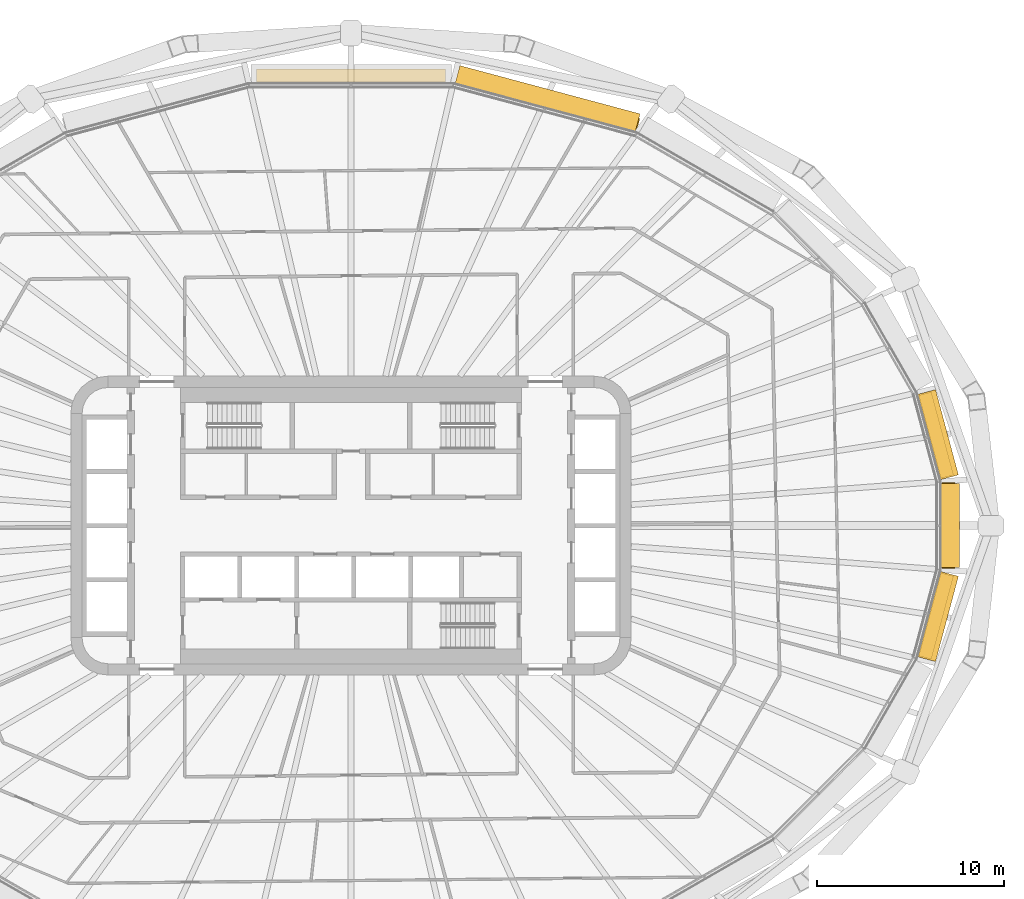
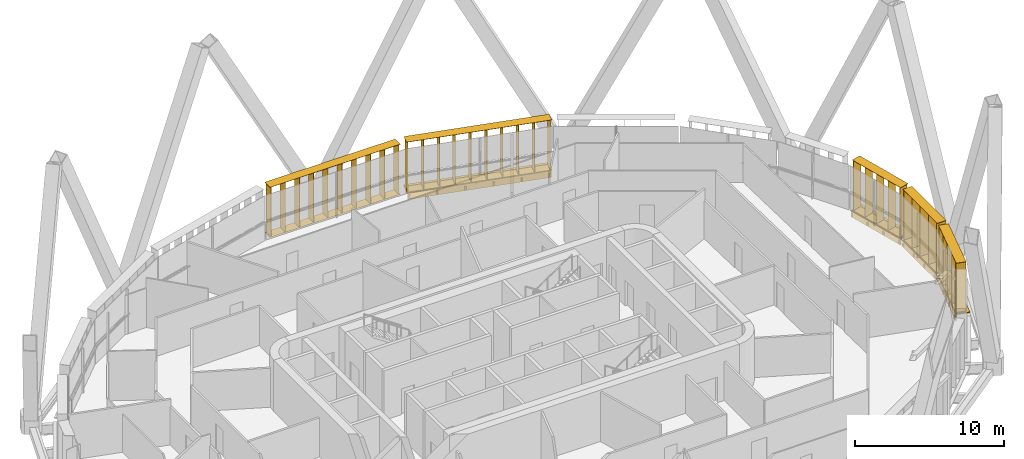
# One storey, part 25 of 25: 9 shading devices.
"""IFC4 building model written with IfcOpenShell, lengths in metres."""

from ifc_helpers import new_model, si_unit, direction, frame, origin, origin_2d, place, context, subcontext, project, spatial, rectangle, extrude, material, type_object, element, save


model = new_model("IFC4")

# Units and contexts
model_context = context("Model", 3, precision=1e-05, world=origin(), true_north=direction((0.0, 1.0)))
body_context = subcontext(model_context, "Body", "Model", "MODEL_VIEW")
ifc_project = project(units=[si_unit("LENGTHUNIT", "METRE"), si_unit("AREAUNIT", "SQUARE_METRE"), si_unit("VOLUMEUNIT", "CUBIC_METRE"), si_unit("PLANEANGLEUNIT", "RADIAN"), si_unit("MASSUNIT", "GRAM", prefix="KILO")], contexts=[model_context])

# Site, building, storey
site_placement = place(None, origin())
site = spatial("IfcSite", under=ifc_project, at=site_placement, CompositionType="ELEMENT")
building_placement = place(site_placement, origin())
building = spatial("IfcBuilding", under=site, at=building_placement, Name="Sahrelin Media Tower", CompositionType="ELEMENT")
storey_placement = place(building_placement, frame((0.0, 0.0, 79.800048828125)))
storey = spatial("IfcBuildingStorey", under=building, at=storey_placement, Name="L14", CompositionType="ELEMENT", Elevation=79.800048828125)

# Shading devices
ifc_material = material(Name="Champagne anodised aluminium 6063-T6", Category="aluminium")
shading_device_type_1 = type_object("IfcShadingDeviceType", Name="Fin cassette", PredefinedType="USERDEFINED", material=ifc_material)
placement_1 = place(storey_placement, frame((31.552490234375, 0.0, 0.0), z_axis=(0.0, 0.0, 1.0), x_axis=(0.0, -1.0, 0.0)))
element("IfcShadingDevice", 1, at=placement_1, inside=storey, type_object=shading_device_type_1, Name="L14:FIN:L14-00", ObjectType="FIN", PredefinedType="USERDEFINED", context=body_context, shape_type="SweptSolid", body=[
    extrude(rectangle(XDim=4.60009765625, YDim=0.699951171875, at=origin_2d()), frame((0.0, 0.419921875, 0.0)), (0.0, 0.0, 1.0), 0.02001953125),
    extrude(rectangle(XDim=4.60009765625, YDim=0.699951171875, at=origin_2d()), frame((0.0, 0.419921875, 4.10009765625)), (0.0, 0.0, 1.0), 0.02001953125),
    extrude(rectangle(XDim=0.02001953125, YDim=0.699951171875, at=origin_2d()), frame((-2.199951171875, 0.419921875, 0.010009765625), z_axis=(0.0, 0.0, 1.0), x_axis=(1.0, 0.0, 0.0)), (0.0, 0.0, 1.0), 4.10009765625),
    extrude(rectangle(XDim=0.02001953125, YDim=0.699951171875, at=origin_2d()), frame((-1.10009765625, 0.419921875, 0.010009765625), z_axis=(0.0, 0.0, 1.0), x_axis=(1.0, 0.0, 0.0)), (0.0, 0.0, 1.0), 4.10009765625),
    extrude(rectangle(XDim=0.02001953125, YDim=0.699951171875, at=origin_2d()), frame((0.0, 0.419921875, 0.010009765625), z_axis=(0.0, 0.0, 1.0), x_axis=(1.0, 0.0, 0.0)), (0.0, 0.0, 1.0), 4.10009765625),
    extrude(rectangle(XDim=0.02001953125, YDim=0.699951171875, at=origin_2d()), frame((1.10009765625, 0.419921875, 0.010009765625), z_axis=(0.0, 0.0, 1.0), x_axis=(1.0, 0.0, 0.0)), (0.0, 0.0, 1.0), 4.10009765625),
    extrude(rectangle(XDim=0.02001953125, YDim=0.699951171875, at=origin_2d()), frame((2.199951171875, 0.419921875, 0.010009765625), z_axis=(0.0, 0.0, 1.0), x_axis=(1.0, 0.0, 0.0)), (0.0, 0.0, 1.0), 4.10009765625),
])
placement_2 = place(storey_placement, frame((30.915283203125, 4.732666015625, 0.0), z_axis=(0.0, 0.0, 1.0), x_axis=(0.258807731996, -0.965928857556, 0.0)))
element("IfcShadingDevice", 2, at=placement_2, inside=storey, type_object=shading_device_type_1, Name="L14:FIN:L14-01", ObjectType="FIN", PredefinedType="USERDEFINED", context=body_context, shape_type="SweptSolid", body=[
    extrude(rectangle(XDim=4.60009765625, YDim=0.699951171875, at=origin_2d()), frame((0.0, 0.419921875, 0.0)), (0.0, 0.0, 1.0), 0.02001953125),
    extrude(rectangle(XDim=4.60009765625, YDim=0.699951171875, at=origin_2d()), frame((0.0, 0.419921875, 4.10009765625)), (0.0, 0.0, 1.0), 0.02001953125),
    extrude(rectangle(XDim=0.02001953125, YDim=0.699951171875, at=origin_2d()), frame((-2.199951171875, 0.419921875, 0.010009765625), z_axis=(0.0, 0.0, 1.0), x_axis=(1.0, 0.0, 0.0)), (0.0, 0.0, 1.0), 4.10009765625),
    extrude(rectangle(XDim=0.02001953125, YDim=0.699951171875, at=origin_2d()), frame((-1.10009765625, 0.419921875, 0.010009765625), z_axis=(0.0, 0.0, 1.0), x_axis=(1.0, 0.0, 0.0)), (0.0, 0.0, 1.0), 4.10009765625),
    extrude(rectangle(XDim=0.02001953125, YDim=0.699951171875, at=origin_2d()), frame((0.0, 0.419921875, 0.010009765625), z_axis=(0.0, 0.0, 1.0), x_axis=(1.0, 0.0, 0.0)), (0.0, 0.0, 1.0), 4.10009765625),
    extrude(rectangle(XDim=0.02001953125, YDim=0.699951171875, at=origin_2d()), frame((1.10009765625, 0.419921875, 0.010009765625), z_axis=(0.0, 0.0, 1.0), x_axis=(1.0, 0.0, 0.0)), (0.0, 0.0, 1.0), 4.10009765625),
    extrude(rectangle(XDim=0.02001953125, YDim=0.699951171875, at=origin_2d()), frame((2.199951171875, 0.419921875, 0.010009765625), z_axis=(0.0, 0.0, 1.0), x_axis=(1.0, 0.0, 0.0)), (0.0, 0.0, 1.0), 4.10009765625),
])
placement_3 = place(storey_placement, frame((10.385009765625, 22.346435546875, 0.0), z_axis=(0.0, 0.0, 1.0), x_axis=(0.965928857556, -0.258807731996, 0.0)))
element("IfcShadingDevice", 3, at=placement_3, inside=storey, type_object=shading_device_type_1, Name="L14:FIN:L14-05", ObjectType="FIN", PredefinedType="USERDEFINED", context=body_context, shape_type="SweptSolid", body=[
    extrude(rectangle(XDim=10.10009765625, YDim=0.699951171875, at=origin_2d()), frame((0.0, 0.419921875, 0.0)), (0.0, 0.0, 1.0), 0.02001953125),
    extrude(rectangle(XDim=10.10009765625, YDim=0.699951171875, at=origin_2d()), frame((0.0, 0.419921875, 4.10009765625)), (0.0, 0.0, 1.0), 0.02001953125),
    extrude(rectangle(XDim=0.02001953125, YDim=0.699951171875, at=origin_2d()), frame((-4.949951171875, 0.419921875, 0.010009765625), z_axis=(0.0, 0.0, 1.0), x_axis=(1.0, 0.0, 0.0)), (0.0, 0.0, 1.0), 4.10009765625),
    extrude(rectangle(XDim=0.02001953125, YDim=0.699951171875, at=origin_2d()), frame((-3.85009765625, 0.419921875, 0.010009765625), z_axis=(0.0, 0.0, 1.0), x_axis=(1.0, 0.0, 0.0)), (0.0, 0.0, 1.0), 4.10009765625),
    extrude(rectangle(XDim=0.02001953125, YDim=0.699951171875, at=origin_2d()), frame((-2.75, 0.419921875, 0.010009765625), z_axis=(0.0, 0.0, 1.0), x_axis=(1.0, 0.0, 0.0)), (0.0, 0.0, 1.0), 4.10009765625),
    extrude(rectangle(XDim=0.02001953125, YDim=0.699951171875, at=origin_2d()), frame((-1.64990234375, 0.419921875, 0.010009765625), z_axis=(0.0, 0.0, 1.0), x_axis=(1.0, 0.0, 0.0)), (0.0, 0.0, 1.0), 4.10009765625),
    extrude(rectangle(XDim=0.02001953125, YDim=0.699951171875, at=origin_2d()), frame((-0.550048828125, 0.419921875, 0.010009765625), z_axis=(0.0, 0.0, 1.0), x_axis=(1.0, 0.0, 0.0)), (0.0, 0.0, 1.0), 4.10009765625),
    extrude(rectangle(XDim=0.02001953125, YDim=0.699951171875, at=origin_2d()), frame((0.550048828125, 0.419921875, 0.010009765625), z_axis=(0.0, 0.0, 1.0), x_axis=(1.0, 0.0, 0.0)), (0.0, 0.0, 1.0), 4.10009765625),
    extrude(rectangle(XDim=0.02001953125, YDim=0.699951171875, at=origin_2d()), frame((1.64990234375, 0.419921875, 0.010009765625), z_axis=(0.0, 0.0, 1.0), x_axis=(1.0, 0.0, 0.0)), (0.0, 0.0, 1.0), 4.10009765625),
    extrude(rectangle(XDim=0.02001953125, YDim=0.699951171875, at=origin_2d()), frame((2.75, 0.419921875, 0.010009765625), z_axis=(0.0, 0.0, 1.0), x_axis=(1.0, 0.0, 0.0)), (0.0, 0.0, 1.0), 4.10009765625),
    extrude(rectangle(XDim=0.02001953125, YDim=0.699951171875, at=origin_2d()), frame((3.85009765625, 0.419921875, 0.010009765625), z_axis=(0.0, 0.0, 1.0), x_axis=(1.0, 0.0, 0.0)), (0.0, 0.0, 1.0), 4.10009765625),
    extrude(rectangle(XDim=0.02001953125, YDim=0.699951171875, at=origin_2d()), frame((4.949951171875, 0.419921875, 0.010009765625), z_axis=(0.0, 0.0, 1.0), x_axis=(1.0, 0.0, 0.0)), (0.0, 0.0, 1.0), 4.10009765625),
])
shading_device_4_placement = place(storey_placement, frame((0.0, 23.6640625, 0.0), z_axis=(0.0, 0.0, 1.0), x_axis=(1.0, 0.0, 0.0)))
element("IfcShadingDevice", 4, at=shading_device_4_placement, inside=storey, type_object=shading_device_type_1, Name="L14:FIN:L14-06", ObjectType="FIN", PredefinedType="USERDEFINED", context=body_context, shape_type="SweptSolid", body=[
    extrude(rectangle(XDim=10.10009765625, YDim=0.699951171875, at=origin_2d()), frame((0.0, 0.419921875, 0.0)), (0.0, 0.0, 1.0), 0.02001953125),
    extrude(rectangle(XDim=10.10009765625, YDim=0.699951171875, at=origin_2d()), frame((0.0, 0.419921875, 4.10009765625)), (0.0, 0.0, 1.0), 0.02001953125),
    extrude(rectangle(XDim=0.02001953125, YDim=0.699951171875, at=origin_2d()), frame((-4.949951171875, 0.419921875, 0.010009765625), z_axis=(0.0, 0.0, 1.0), x_axis=(1.0, 0.0, 0.0)), (0.0, 0.0, 1.0), 4.10009765625),
    extrude(rectangle(XDim=0.02001953125, YDim=0.699951171875, at=origin_2d()), frame((-3.85009765625, 0.419921875, 0.010009765625), z_axis=(0.0, 0.0, 1.0), x_axis=(1.0, 0.0, 0.0)), (0.0, 0.0, 1.0), 4.10009765625),
    extrude(rectangle(XDim=0.02001953125, YDim=0.699951171875, at=origin_2d()), frame((-2.75, 0.419921875, 0.010009765625), z_axis=(0.0, 0.0, 1.0), x_axis=(1.0, 0.0, 0.0)), (0.0, 0.0, 1.0), 4.10009765625),
    extrude(rectangle(XDim=0.02001953125, YDim=0.699951171875, at=origin_2d()), frame((-1.64990234375, 0.419921875, 0.010009765625), z_axis=(0.0, 0.0, 1.0), x_axis=(1.0, 0.0, 0.0)), (0.0, 0.0, 1.0), 4.10009765625),
    extrude(rectangle(XDim=0.02001953125, YDim=0.699951171875, at=origin_2d()), frame((-0.550048828125, 0.419921875, 0.010009765625), z_axis=(0.0, 0.0, 1.0), x_axis=(1.0, 0.0, 0.0)), (0.0, 0.0, 1.0), 4.10009765625),
    extrude(rectangle(XDim=0.02001953125, YDim=0.699951171875, at=origin_2d()), frame((0.550048828125, 0.419921875, 0.010009765625), z_axis=(0.0, 0.0, 1.0), x_axis=(1.0, 0.0, 0.0)), (0.0, 0.0, 1.0), 4.10009765625),
    extrude(rectangle(XDim=0.02001953125, YDim=0.699951171875, at=origin_2d()), frame((1.64990234375, 0.419921875, 0.010009765625), z_axis=(0.0, 0.0, 1.0), x_axis=(1.0, 0.0, 0.0)), (0.0, 0.0, 1.0), 4.10009765625),
    extrude(rectangle(XDim=0.02001953125, YDim=0.699951171875, at=origin_2d()), frame((2.75, 0.419921875, 0.010009765625), z_axis=(0.0, 0.0, 1.0), x_axis=(1.0, 0.0, 0.0)), (0.0, 0.0, 1.0), 4.10009765625),
    extrude(rectangle(XDim=0.02001953125, YDim=0.699951171875, at=origin_2d()), frame((3.85009765625, 0.419921875, 0.010009765625), z_axis=(0.0, 0.0, 1.0), x_axis=(1.0, 0.0, 0.0)), (0.0, 0.0, 1.0), 4.10009765625),
    extrude(rectangle(XDim=0.02001953125, YDim=0.699951171875, at=origin_2d()), frame((4.949951171875, 0.419921875, 0.010009765625), z_axis=(0.0, 0.0, 1.0), x_axis=(1.0, 0.0, 0.0)), (0.0, 0.0, 1.0), 4.10009765625),
])
placement_4 = place(storey_placement, frame((30.915283203125, -4.732666015625, 0.0), z_axis=(0.0, 0.0, 1.0), x_axis=(-0.258807731996, -0.965928857556, 0.0)))
element("IfcShadingDevice", 5, at=placement_4, inside=storey, type_object=shading_device_type_1, Name="L14:FIN:L14-23", ObjectType="FIN", PredefinedType="USERDEFINED", context=body_context, shape_type="SweptSolid", body=[
    extrude(rectangle(XDim=4.60009765625, YDim=0.699951171875, at=origin_2d()), frame((0.0, 0.419921875, 0.0)), (0.0, 0.0, 1.0), 0.02001953125),
    extrude(rectangle(XDim=4.60009765625, YDim=0.699951171875, at=origin_2d()), frame((0.0, 0.419921875, 4.10009765625)), (0.0, 0.0, 1.0), 0.02001953125),
    extrude(rectangle(XDim=0.02001953125, YDim=0.699951171875, at=origin_2d()), frame((-2.199951171875, 0.419921875, 0.010009765625), z_axis=(0.0, 0.0, 1.0), x_axis=(1.0, 0.0, 0.0)), (0.0, 0.0, 1.0), 4.10009765625),
    extrude(rectangle(XDim=0.02001953125, YDim=0.699951171875, at=origin_2d()), frame((-1.10009765625, 0.419921875, 0.010009765625), z_axis=(0.0, 0.0, 1.0), x_axis=(1.0, 0.0, 0.0)), (0.0, 0.0, 1.0), 4.10009765625),
    extrude(rectangle(XDim=0.02001953125, YDim=0.699951171875, at=origin_2d()), frame((0.0, 0.419921875, 0.010009765625), z_axis=(0.0, 0.0, 1.0), x_axis=(1.0, 0.0, 0.0)), (0.0, 0.0, 1.0), 4.10009765625),
    extrude(rectangle(XDim=0.02001953125, YDim=0.699951171875, at=origin_2d()), frame((1.10009765625, 0.419921875, 0.010009765625), z_axis=(0.0, 0.0, 1.0), x_axis=(1.0, 0.0, 0.0)), (0.0, 0.0, 1.0), 4.10009765625),
    extrude(rectangle(XDim=0.02001953125, YDim=0.699951171875, at=origin_2d()), frame((2.199951171875, 0.419921875, 0.010009765625), z_axis=(0.0, 0.0, 1.0), x_axis=(1.0, 0.0, 0.0)), (0.0, 0.0, 1.0), 4.10009765625),
])
shading_device_type_2 = type_object("IfcShadingDeviceType", Name="Sunshade band", PredefinedType="USERDEFINED", material=ifc_material)
element("IfcShadingDevice", 6, at=placement_1, inside=storey, type_object=shading_device_type_2, Name="L14:SUN:L14-00", ObjectType="SUNSHADE", PredefinedType="USERDEFINED", context=body_context, shape_type="SweptSolid", body=[
    extrude(rectangle(XDim=4.50830078125, YDim=0.050048828125, at=origin_2d()), frame((0.0, 0.044921875, -0.55126953125)), (0.0, 0.0, 1.0), 0.471435546875),
    extrude(rectangle(XDim=4.50830078125, YDim=1.0, at=origin_2d()), frame((0.0, 0.52001953125, -0.080078125)), (0.0, 0.0, 1.0), 0.080078125),
    extrude(rectangle(XDim=0.10009765625, YDim=0.074951171875, at=origin_2d()), frame((-2.154296875, -0.017578125, -0.47021484375)), (0.0, 0.0, 1.0), 0.300048828125),
    extrude(rectangle(XDim=0.10009765625, YDim=0.074951171875, at=origin_2d()), frame((-0.718017578125, -0.017578125, -0.47021484375)), (0.0, 0.0, 1.0), 0.300048828125),
    extrude(rectangle(XDim=0.10009765625, YDim=0.074951171875, at=origin_2d()), frame((0.718017578125, -0.017578125, -0.47021484375)), (0.0, 0.0, 1.0), 0.300048828125),
    extrude(rectangle(XDim=0.10009765625, YDim=0.074951171875, at=origin_2d()), frame((2.154296875, -0.017578125, -0.47021484375)), (0.0, 0.0, 1.0), 0.300048828125),
])
element("IfcShadingDevice", 7, at=placement_2, inside=storey, type_object=shading_device_type_2, Name="L14:SUN:L14-01", ObjectType="SUNSHADE", PredefinedType="USERDEFINED", context=body_context, shape_type="SweptSolid", body=[
    extrude(rectangle(XDim=4.724609375, YDim=0.050048828125, at=origin_2d()), frame((0.0, 0.044921875, -0.55126953125)), (0.0, 0.0, 1.0), 0.471435546875),
    extrude(rectangle(XDim=4.724609375, YDim=1.0, at=origin_2d()), frame((0.0, 0.52001953125, -0.080078125)), (0.0, 0.0, 1.0), 0.080078125),
    extrude(rectangle(XDim=0.10009765625, YDim=0.074951171875, at=origin_2d()), frame((-2.26220703125, -0.017578125, -0.47021484375)), (0.0, 0.0, 1.0), 0.300048828125),
    extrude(rectangle(XDim=0.10009765625, YDim=0.074951171875, at=origin_2d()), frame((-0.754150390625, -0.017578125, -0.47021484375)), (0.0, 0.0, 1.0), 0.300048828125),
    extrude(rectangle(XDim=0.10009765625, YDim=0.074951171875, at=origin_2d()), frame((0.754150390625, -0.017578125, -0.47021484375)), (0.0, 0.0, 1.0), 0.300048828125),
    extrude(rectangle(XDim=0.10009765625, YDim=0.074951171875, at=origin_2d()), frame((2.26220703125, -0.017578125, -0.47021484375)), (0.0, 0.0, 1.0), 0.300048828125),
])
element("IfcShadingDevice", 8, at=placement_3, inside=storey, type_object=shading_device_type_2, Name="L14:SUN:L14-05", ObjectType="SUNSHADE", PredefinedType="USERDEFINED", context=body_context, shape_type="SweptSolid", body=[
    extrude(rectangle(XDim=9.982666015625, YDim=0.050048828125, at=origin_2d()), frame((0.0, 0.044921875, -0.55126953125)), (0.0, 0.0, 1.0), 0.471435546875),
    extrude(rectangle(XDim=9.982666015625, YDim=1.0, at=origin_2d()), frame((0.0, 0.52001953125, -0.080078125)), (0.0, 0.0, 1.0), 0.080078125),
    extrude(rectangle(XDim=0.10009765625, YDim=0.074951171875, at=origin_2d()), frame((-4.891357421875, -0.017578125, -0.47021484375)), (0.0, 0.0, 1.0), 0.300048828125),
    extrude(rectangle(XDim=0.10009765625, YDim=0.074951171875, at=origin_2d()), frame((-2.934814453125, -0.017578125, -0.47021484375)), (0.0, 0.0, 1.0), 0.300048828125),
    extrude(rectangle(XDim=0.10009765625, YDim=0.074951171875, at=origin_2d()), frame((-0.978271484375, -0.017578125, -0.47021484375)), (0.0, 0.0, 1.0), 0.300048828125),
    extrude(rectangle(XDim=0.10009765625, YDim=0.074951171875, at=origin_2d()), frame((0.978271484375, -0.017578125, -0.47021484375)), (0.0, 0.0, 1.0), 0.300048828125),
    extrude(rectangle(XDim=0.10009765625, YDim=0.074951171875, at=origin_2d()), frame((2.934814453125, -0.017578125, -0.47021484375)), (0.0, 0.0, 1.0), 0.300048828125),
    extrude(rectangle(XDim=0.10009765625, YDim=0.074951171875, at=origin_2d()), frame((4.891357421875, -0.017578125, -0.47021484375)), (0.0, 0.0, 1.0), 0.300048828125),
])
element("IfcShadingDevice", 9, at=placement_4, inside=storey, type_object=shading_device_type_2, Name="L14:SUN:L14-23", ObjectType="SUNSHADE", PredefinedType="USERDEFINED", context=body_context, shape_type="SweptSolid", body=[
    extrude(rectangle(XDim=4.724609375, YDim=0.050048828125, at=origin_2d()), frame((0.0, 0.044921875, -0.55126953125)), (0.0, 0.0, 1.0), 0.471435546875),
    extrude(rectangle(XDim=4.724609375, YDim=1.0, at=origin_2d()), frame((0.0, 0.52001953125, -0.080078125)), (0.0, 0.0, 1.0), 0.080078125),
    extrude(rectangle(XDim=0.10009765625, YDim=0.074951171875, at=origin_2d()), frame((-2.26220703125, -0.017578125, -0.47021484375)), (0.0, 0.0, 1.0), 0.300048828125),
    extrude(rectangle(XDim=0.10009765625, YDim=0.074951171875, at=origin_2d()), frame((-0.754150390625, -0.017578125, -0.47021484375)), (0.0, 0.0, 1.0), 0.300048828125),
    extrude(rectangle(XDim=0.10009765625, YDim=0.074951171875, at=origin_2d()), frame((0.754150390625, -0.017578125, -0.47021484375)), (0.0, 0.0, 1.0), 0.300048828125),
    extrude(rectangle(XDim=0.10009765625, YDim=0.074951171875, at=origin_2d()), frame((2.26220703125, -0.017578125, -0.47021484375)), (0.0, 0.0, 1.0), 0.300048828125),
])

save(model, "model.ifc")
